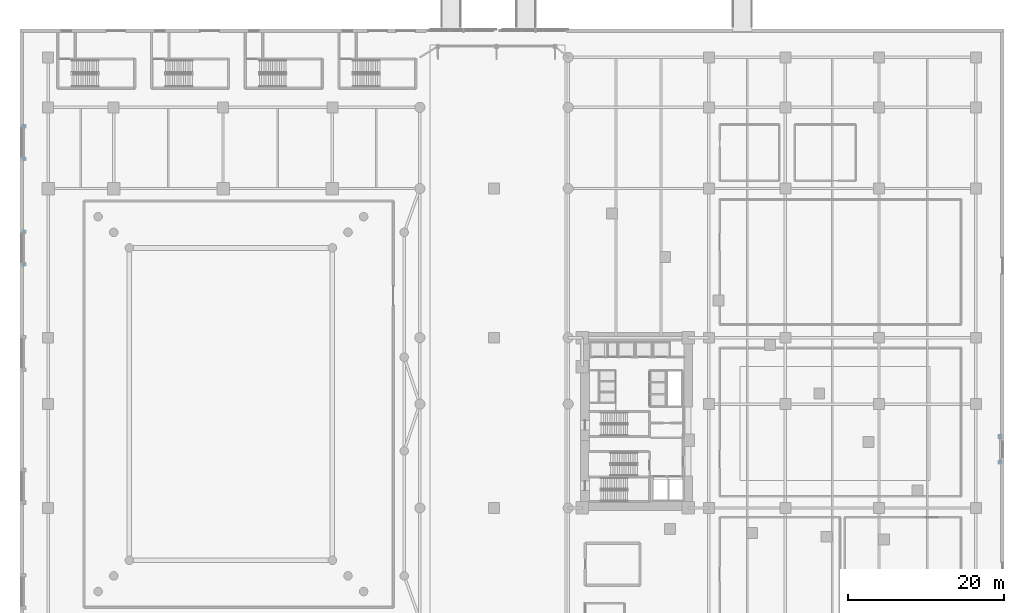
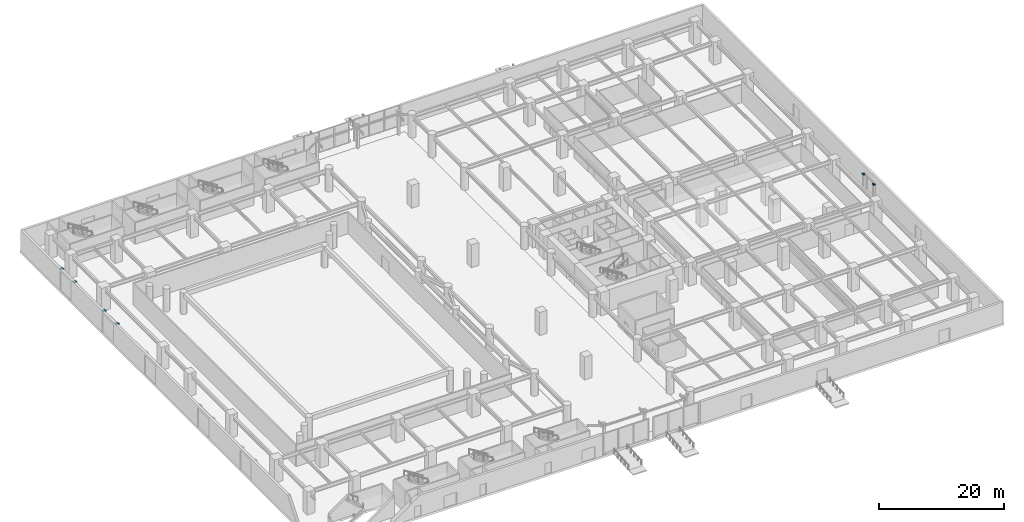
# One storey, part 32 of 42: 6 discrete accessories.
"""IFC4 building model written with IfcOpenShell, lengths in metres."""

from ifc_helpers import new_model, si_unit, direction, frame, origin, origin_2d, place, context, subcontext, project, spatial, rectangle, extrude, material, type_object, element, save


model = new_model("IFC4")

# Units and contexts
model_context = context("Model", 3, precision=1e-05, world=origin(), true_north=direction((0.0, 1.0)))
body_context = subcontext(model_context, "Body", "Model", "MODEL_VIEW")
ifc_project = project(units=[si_unit("LENGTHUNIT", "METRE"), si_unit("AREAUNIT", "SQUARE_METRE"), si_unit("VOLUMEUNIT", "CUBIC_METRE"), si_unit("PLANEANGLEUNIT", "RADIAN"), si_unit("MASSUNIT", "GRAM", prefix="KILO")], contexts=[model_context])

# Site, building, storey
site_placement = place(None, origin())
site = spatial("IfcSite", under=ifc_project, at=site_placement, CompositionType="ELEMENT")
building_placement = place(site_placement, origin())
building = spatial("IfcBuilding", under=site, at=building_placement, Name="Narakoshi Arena Tower", CompositionType="ELEMENT")
storey_placement = place(building_placement, origin())
storey = spatial("IfcBuildingStorey", under=building, at=storey_placement, Name="L00", CompositionType="ELEMENT", Elevation=0.0)

# Discrete accessories
ifc_material = material(Name="Structural steel S460ML", Category="steel")
discrete_accessory_type = type_object("IfcDiscreteAccessoryType", Name="ACC-GUS-PLT", PredefinedType="BRACKET", material=ifc_material)
for number, where, z_axis, x_axis, name in (
    (1, (0.52001953125, 83.570068359375, 3.81005859375), (0.0, 0.0, 1.0), (1.0, 0.0, 0.0), "L00 Shutter Jamb Post Top Cap Plate 01N"),
    (2, (0.52001953125, 79.409912109375, 3.81005859375), (0.0, 0.0, 1.0), (1.0, 0.0, 0.0), "L00 Shutter Jamb Post Top Cap Plate 01S"),
    (3, (0.52001953125, 70.070068359375, 3.81005859375), (0.0, 0.0, 1.0), (1.0, 0.0, 0.0), "L00 Shutter Jamb Post Top Cap Plate 02N"),
    (4, (0.52001953125, 65.909912109375, 3.81005859375), (0.0, 0.0, 1.0), (1.0, 0.0, 0.0), "L00 Shutter Jamb Post Top Cap Plate 02S"),
    (5, (125.47998046875, 40.550048828125, 2.6201171875), (0.0, 0.0, 1.0), (1.0, 0.0, 0.0), "L00 Lobby Jamb Post Top Cap Plate 06S"),
    (6, (125.47998046875, 43.85009765625, 2.6201171875), (0.0, 0.0, 1.0), (1.0, 0.0, 0.0), "L00 Lobby Jamb Post Top Cap Plate 06N"),
):
    element("IfcDiscreteAccessory", number, at=place(storey_placement, frame(where, z_axis=z_axis, x_axis=x_axis)), inside=storey, type_object=discrete_accessory_type, Name=name, PredefinedType="BRACKET", context=body_context, shape_type="SweptSolid", body=[
        extrude(rectangle(XDim=0.47998046875, YDim=0.47998046875, at=origin_2d()), origin(), (0.0, 0.0, 1.0), 0.139892578125),
    ])

save(model, "model.ifc")
